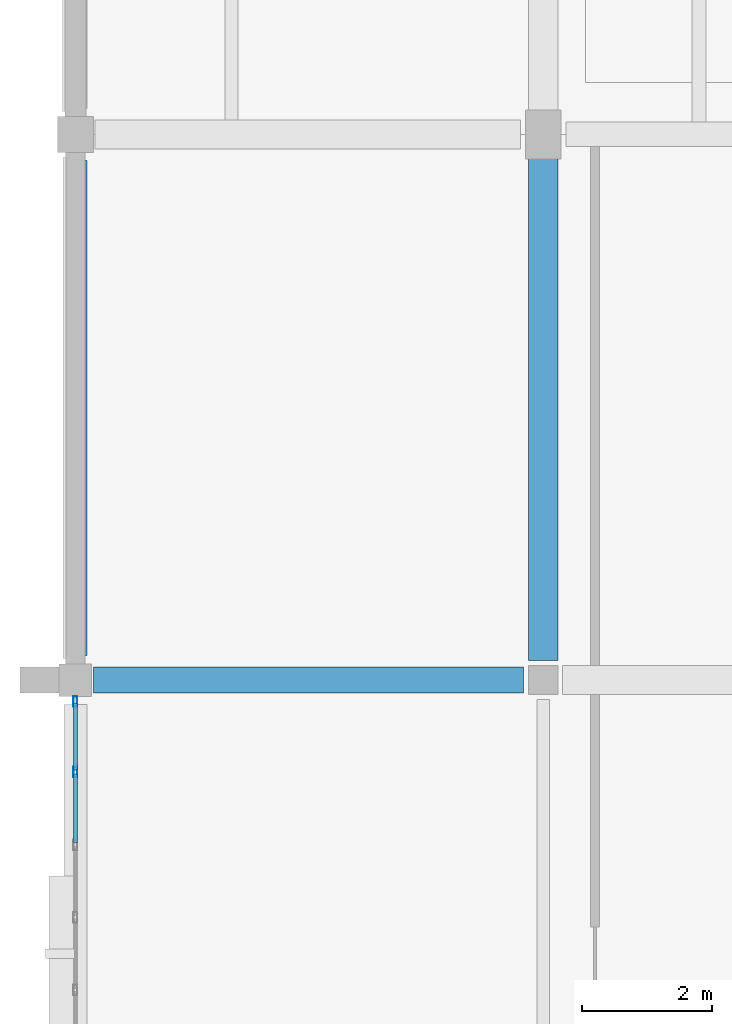
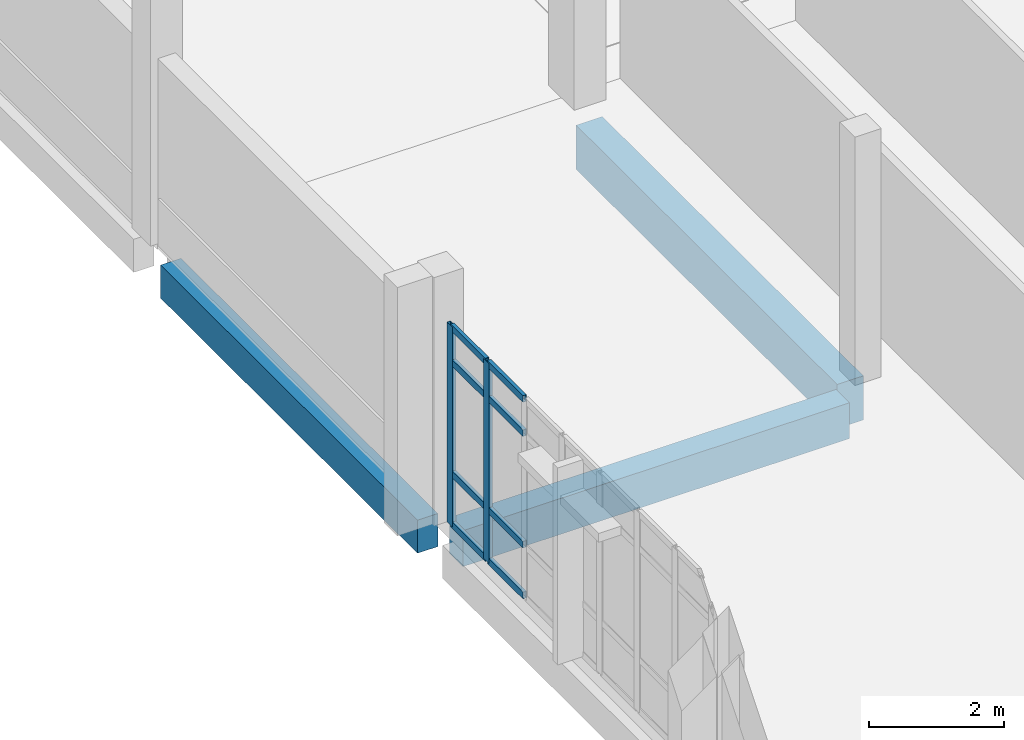
# One storey, part 24 of 62: 10 members, 3 beams, 1 element without a shape of its own.
"""IFC4 building model written with IfcOpenShell, lengths in metres."""

from ifc_helpers import new_model, si_unit, direction, frame, origin, origin_2d, place, context, subcontext, project, spatial, rectangle, hollow_rectangle, extrude, material, material_profile, profile_set, type_object, element, aggregate, save


model = new_model("IFC4")

# Units and contexts
model_context = context("Model", 3, precision=1e-05, world=origin(), true_north=direction((0.0, 1.0)))
body_context = subcontext(model_context, "Body", "Model", "MODEL_VIEW")
ifc_project = project(units=[si_unit("LENGTHUNIT", "METRE"), si_unit("AREAUNIT", "SQUARE_METRE"), si_unit("VOLUMEUNIT", "CUBIC_METRE"), si_unit("PLANEANGLEUNIT", "RADIAN"), si_unit("MASSUNIT", "GRAM", prefix="KILO")], contexts=[model_context])

# Site, building, storey
site_placement = place(None, origin())
site = spatial("IfcSite", under=ifc_project, at=site_placement, CompositionType="ELEMENT")
building_placement = place(site_placement, origin())
building = spatial("IfcBuilding", under=site, at=building_placement, Name="Kalluvel Institute of Natural Sciences", CompositionType="ELEMENT")
storey_placement = place(building_placement, frame((0.0, 0.0, 27.89990234375)))
storey = spatial("IfcBuildingStorey", under=building, at=storey_placement, Name="L06", CompositionType="ELEMENT", Elevation=27.89990234375)

# Beams
ifc_material_1 = material(Name="Concrete M40", Category="concrete")
ifc_material_profile_1 = material_profile(ifc_material_1, rectangle(XDim=0.39990234375, YDim=0.64990234375, at=origin_2d()), Name="RCB 400x650")
ifc_profile_set_1 = profile_set([ifc_material_profile_1], Name="Concrete M40")
beam_type_1 = type_object("IfcBeamType", Name="BM-RC400x650", PredefinedType="BEAM", material=ifc_profile_set_1)
beam_1_placement = place(storey_placement, frame((14.27490234375, 94.39990234375, -0.625), z_axis=(1.0, 0.0, 0.0), x_axis=(0.0, 1.0, 0.0)))
element("IfcBeam", 1, at=beam_1_placement, inside=storey, type_object=beam_type_1, Name="L06 girder GIR-L06-EW-X140-Y944", PredefinedType="BEAM", context=body_context, shape_type="SweptSolid", body=[
    extrude(rectangle(XDim=0.39990234375, YDim=0.64990234375, at=origin_2d()), origin(), (0.0, 0.0, 1.0), 6.625),
])
ifc_material_profile_2 = material_profile(ifc_material_1, rectangle(XDim=0.449951171875, YDim=0.800048828125, at=origin_2d()), Name="RCB 450x800")
ifc_profile_set_2 = profile_set([ifc_material_profile_2], Name="Concrete M40")
beam_type_2 = type_object("IfcBeamType", Name="BM-RC450x800", PredefinedType="BEAM", material=ifc_profile_set_2)
beam_2_placement = place(storey_placement, frame((21.199951171875, 94.699951171875, -0.699951171875), z_axis=(0.0, 1.0, 0.0), x_axis=(-1.0, 0.0, 0.0)))
element("IfcBeam", 2, at=beam_2_placement, inside=storey, type_object=beam_type_2, Name="L06 girder GIR-L06-NS-X212-Y944", PredefinedType="BEAM", context=body_context, shape_type="SweptSolid", body=[
    extrude(rectangle(XDim=0.449951171875, YDim=0.800048828125, at=origin_2d()), origin(), (0.0, 0.0, 1.0), 7.75),
])

# Curtain wall, members
ifc_material_2 = material(Name="Aluminium AW-6063 T6", Category="aluminium")
curtain_wall_type = type_object("IfcCurtainWallType", Name="CW-DRY-45", PredefinedType="USERDEFINED", material=ifc_material_2)
curtain_wall_placement = place(storey_placement, origin())
curtain_wall = element("IfcCurtainWall", 3, at=curtain_wall_placement, inside=storey, type_object=curtain_wall_type, Name="L06 Gothic lancet curtain wall CWA-L06-X140-Y863", ObjectType="UNITISED LANCET FACADE", PredefinedType="USERDEFINED")
ifc_material_profile_3 = material_profile(ifc_material_2, hollow_rectangle(XDim=0.06005859375, YDim=0.159912109375, WallThickness=0.00390625, at=origin_2d()), Name="CWM 60x160")
ifc_profile_set_3 = profile_set([ifc_material_profile_3], Name="Aluminium AW-6063 T6")
member_type_1 = type_object("IfcMemberType", Name="CWM-60x160", PredefinedType="MULLION", material=ifc_profile_set_3)
member_1_placement = place(storey_placement, frame((14.0, 92.982177734375, 0.0), z_axis=(0.0, 0.0, 1.0), x_axis=(-1.0, 0.0, 0.0)))
member_1 = element("IfcMember", 4, at=member_1_placement, type_object=member_type_1, Name="CW-03 mullion 7", PredefinedType="MULLION", context=body_context, shape_type="SweptSolid", body=[
    extrude(hollow_rectangle(XDim=0.06005859375, YDim=0.159912109375, WallThickness=0.00390625, at=origin_2d()), origin(), (0.0, 0.0, 1.0), 3.6201171875),
])
member_2_placement = place(storey_placement, frame((14.0, 94.070068359375, 0.0), z_axis=(0.0, 0.0, 1.0), x_axis=(-1.0, 0.0, 0.0)))
member_2 = element("IfcMember", 5, at=member_2_placement, type_object=member_type_1, Name="CW-03 mullion 8", PredefinedType="MULLION", context=body_context, shape_type="SweptSolid", body=[
    extrude(hollow_rectangle(XDim=0.06005859375, YDim=0.159912109375, WallThickness=0.00390625, at=origin_2d()), origin(), (0.0, 0.0, 1.0), 3.6201171875),
])
ifc_material_profile_4 = material_profile(ifc_material_2, hollow_rectangle(XDim=0.06005859375, YDim=0.1201171875, WallThickness=0.00390625, at=origin_2d()), Name="CWT 60x120")
ifc_profile_set_4 = profile_set([ifc_material_profile_4], Name="Aluminium AW-6063 T6")
member_type_2 = type_object("IfcMemberType", Name="CWT-60x120", PredefinedType="USERDEFINED", material=ifc_profile_set_4)
member_3_placement = place(storey_placement, frame((14.0, 91.894287109375, 0.030029296875), z_axis=(0.0, 1.0, 0.0), x_axis=(-1.0, 0.0, 0.0)))
member_3 = element("IfcMember", 6, at=member_3_placement, type_object=member_type_2, Name="CW-03 transom 6.1", ObjectType="TRANSOM", PredefinedType="USERDEFINED", context=body_context, shape_type="SweptSolid", body=[
    extrude(hollow_rectangle(XDim=0.06005859375, YDim=0.1201171875, WallThickness=0.00390625, at=origin_2d()), origin(), (0.0, 0.0, 1.0), 1.057861328125),
])
member_4_placement = place(storey_placement, frame((14.0, 91.894287109375, 0.9501953125), z_axis=(0.0, 1.0, 0.0), x_axis=(-1.0, 0.0, 0.0)))
member_4 = element("IfcMember", 7, at=member_4_placement, type_object=member_type_2, Name="CW-03 transom 6.2", ObjectType="TRANSOM", PredefinedType="USERDEFINED", context=body_context, shape_type="SweptSolid", body=[
    extrude(hollow_rectangle(XDim=0.06005859375, YDim=0.1201171875, WallThickness=0.00390625, at=origin_2d()), origin(), (0.0, 0.0, 1.0), 1.057861328125),
])
member_5_placement = place(storey_placement, frame((14.0, 91.894287109375, 2.97021484375), z_axis=(0.0, 1.0, 0.0), x_axis=(-1.0, 0.0, 0.0)))
member_5 = element("IfcMember", 8, at=member_5_placement, type_object=member_type_2, Name="CW-03 transom 6.3", ObjectType="TRANSOM", PredefinedType="USERDEFINED", context=body_context, shape_type="SweptSolid", body=[
    extrude(hollow_rectangle(XDim=0.06005859375, YDim=0.1201171875, WallThickness=0.00390625, at=origin_2d()), origin(), (0.0, 0.0, 1.0), 1.057861328125),
])
member_6_placement = place(storey_placement, frame((14.0, 91.894287109375, 3.590087890625), z_axis=(0.0, 1.0, 0.0), x_axis=(-1.0, 0.0, 0.0)))
member_6 = element("IfcMember", 9, at=member_6_placement, type_object=member_type_2, Name="CW-03 transom 6.4", ObjectType="TRANSOM", PredefinedType="USERDEFINED", context=body_context, shape_type="SweptSolid", body=[
    extrude(hollow_rectangle(XDim=0.06005859375, YDim=0.1201171875, WallThickness=0.00390625, at=origin_2d()), origin(), (0.0, 0.0, 1.0), 1.057861328125),
])
member_7_placement = place(storey_placement, frame((14.0, 93.01220703125, 0.030029296875), z_axis=(0.0, 1.0, 0.0), x_axis=(-1.0, 0.0, 0.0)))
member_7 = element("IfcMember", 10, at=member_7_placement, type_object=member_type_2, Name="CW-03 transom 7.1", ObjectType="TRANSOM", PredefinedType="USERDEFINED", context=body_context, shape_type="SweptSolid", body=[
    extrude(hollow_rectangle(XDim=0.06005859375, YDim=0.1201171875, WallThickness=0.00390625, at=origin_2d()), origin(), (0.0, 0.0, 1.0), 1.02783203125),
])
member_8_placement = place(storey_placement, frame((14.0, 93.01220703125, 0.9501953125), z_axis=(0.0, 1.0, 0.0), x_axis=(-1.0, 0.0, 0.0)))
member_8 = element("IfcMember", 11, at=member_8_placement, type_object=member_type_2, Name="CW-03 transom 7.2", ObjectType="TRANSOM", PredefinedType="USERDEFINED", context=body_context, shape_type="SweptSolid", body=[
    extrude(hollow_rectangle(XDim=0.06005859375, YDim=0.1201171875, WallThickness=0.00390625, at=origin_2d()), origin(), (0.0, 0.0, 1.0), 1.02783203125),
])
member_9_placement = place(storey_placement, frame((14.0, 93.01220703125, 2.97021484375), z_axis=(0.0, 1.0, 0.0), x_axis=(-1.0, 0.0, 0.0)))
member_9 = element("IfcMember", 12, at=member_9_placement, type_object=member_type_2, Name="CW-03 transom 7.3", ObjectType="TRANSOM", PredefinedType="USERDEFINED", context=body_context, shape_type="SweptSolid", body=[
    extrude(hollow_rectangle(XDim=0.06005859375, YDim=0.1201171875, WallThickness=0.00390625, at=origin_2d()), origin(), (0.0, 0.0, 1.0), 1.02783203125),
])
member_10_placement = place(storey_placement, frame((14.0, 93.01220703125, 3.590087890625), z_axis=(0.0, 1.0, 0.0), x_axis=(-1.0, 0.0, 0.0)))
member_10 = element("IfcMember", 13, at=member_10_placement, type_object=member_type_2, Name="CW-03 transom 7.4", ObjectType="TRANSOM", PredefinedType="USERDEFINED", context=body_context, shape_type="SweptSolid", body=[
    extrude(hollow_rectangle(XDim=0.06005859375, YDim=0.1201171875, WallThickness=0.00390625, at=origin_2d()), origin(), (0.0, 0.0, 1.0), 1.02783203125),
])
aggregate(curtain_wall, [member_1, member_2, member_3, member_4, member_5, member_6, member_7, member_8, member_9, member_10])

# Beam
ifc_material_profile_5 = material_profile(ifc_material_1, rectangle(XDim=0.35009765625, YDim=0.60009765625, at=origin_2d()), Name="RCB 350x600")
ifc_profile_set_5 = profile_set([ifc_material_profile_5], Name="Concrete M40")
beam_type_3 = type_object("IfcBeamType", Name="SP-RC350x600", PredefinedType="SPANDREL", material=ifc_profile_set_5)
beam_3_placement = place(storey_placement, frame((14.0, 94.77490234375, -0.599853515625), z_axis=(0.0, 1.0, 0.0), x_axis=(-1.0, 0.0, 0.0)))
element("IfcBeam", 14, at=beam_3_placement, inside=storey, type_object=beam_type_3, Name="L06 girder GIR-L06-NS-X140-Y944", PredefinedType="SPANDREL", context=body_context, shape_type="SweptSolid", body=[
    extrude(rectangle(XDim=0.35009765625, YDim=0.60009765625, at=origin_2d()), origin(), (0.0, 0.0, 1.0), 7.625),
])

save(model, "model.ifc")
